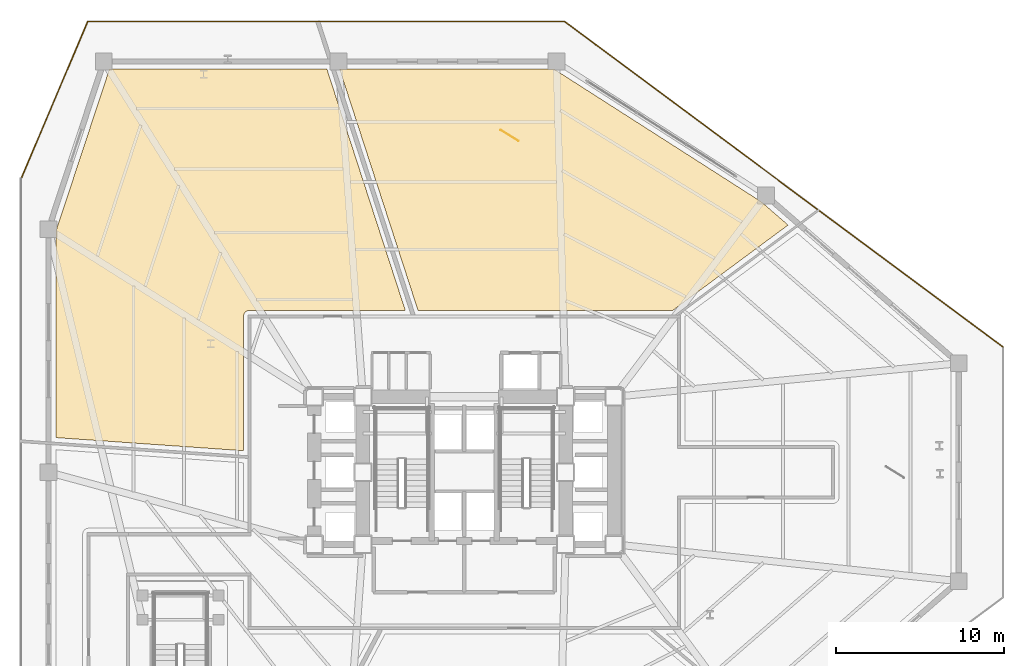
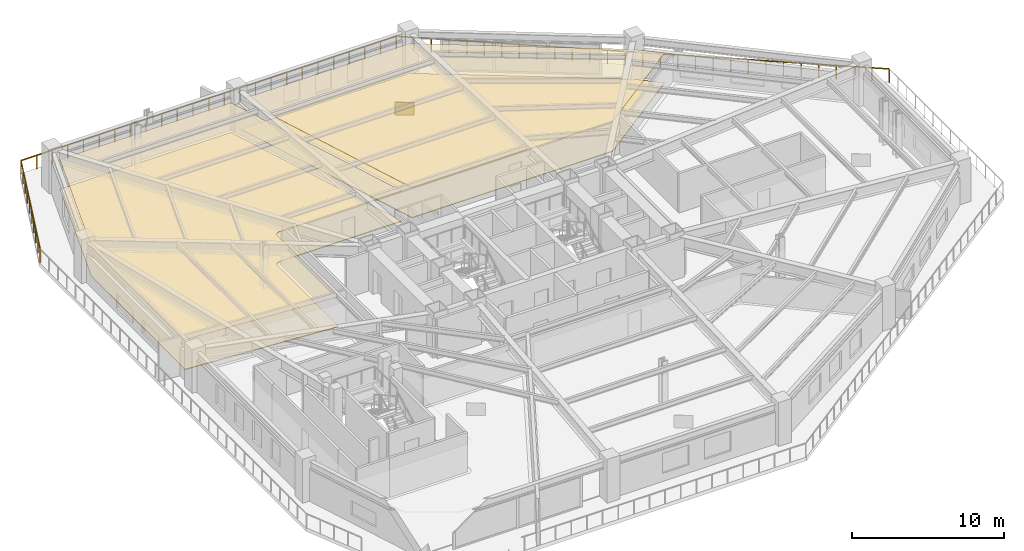
# One storey, part 12 of 12: 5 coverings, 1 railing.
"""IFC4 building model written with IfcOpenShell, lengths in metres."""

from ifc_helpers import new_model, si_unit, direction, frame, origin, origin_2d, place, context, subcontext, project, spatial, polyline, rectangle, outline, extrude, material, layer, layer_set, type_object, element, save


model = new_model("IFC4")

# Units and contexts
model_context = context("Model", 3, precision=1e-05, world=origin(), true_north=direction((0.0, 1.0)))
body_context = subcontext(model_context, "Body", "Model", "MODEL_VIEW")
ifc_project = project(units=[si_unit("LENGTHUNIT", "METRE"), si_unit("AREAUNIT", "SQUARE_METRE"), si_unit("VOLUMEUNIT", "CUBIC_METRE"), si_unit("PLANEANGLEUNIT", "RADIAN"), si_unit("MASSUNIT", "GRAM", prefix="KILO")], contexts=[model_context])

# Site, building, storey
site_placement = place(None, origin())
site = spatial("IfcSite", under=ifc_project, at=site_placement, CompositionType="ELEMENT")
building_placement = place(site_placement, origin())
building = spatial("IfcBuilding", under=site, at=building_placement, Name="Rocaltana Carrier Exchange", CompositionType="ELEMENT")
storey_placement = place(building_placement, frame((0.0, 0.0, 11.840087890625)))
storey = spatial("IfcBuildingStorey", under=building, at=storey_placement, Name="L04", CompositionType="ELEMENT", Elevation=11.840087890625)

# Coverings
ifc_material_1 = material(Name="Calcium Sulphate & Aluminium Pedestal", Category="aluminium")
ifc_layer_1 = layer(ifc_material_1, 0.06005859375)
ifc_layer_set_1 = layer_set([ifc_layer_1], Name="Calcium Sulphate & Aluminium Pedestal")
covering_type_1 = type_object("IfcCoveringType", Name="Anti-Static Raised Exchange Access Floor 60", PredefinedType="FLOORING", material=ifc_layer_set_1)
covering_1_placement = place(storey_placement, origin())
element("IfcCovering", 1, at=covering_1_placement, inside=storey, type_object=covering_type_1, Name="L04 Peering Conference Room Finish Floor", PredefinedType="FLOORING", context=body_context, shape_type="SweptSolid", body=[
    extrude(outline(polyline([(5.365478515625, 24.0400390625), (17.7236328125, 16.130615234375), (19.319091796875, 14.743408203125), (12.449462890625, 9.659912109375), (-2.76025390625, 9.659912109375), (-7.4326171875, 24.0400390625), (5.365478515625, 24.0400390625)])), origin(), (0.0, 0.0, 1.0), 0.059814453125),
])
covering_2_placement = place(storey_placement, origin())
element("IfcCovering", 2, at=covering_2_placement, inside=storey, type_object=covering_type_1, Name="L04 Protocol Calibration Laboratory Finish Floor", PredefinedType="FLOORING", context=body_context, shape_type="SweptSolid", body=[
    extrude(outline(polyline([(-24.340087890625, 14.426025390625), (-21.16748046875, 24.0400390625), (-8.189697265625, 24.0400390625), (-3.517333984375, 9.659912109375), (-12.800048828125, 9.659912109375), (-12.813720703125, 9.65966796875), (-12.821533203125, 9.6591796875), (-12.848876953125, 9.656494140625), (-12.856689453125, 9.655517578125), (-12.883544921875, 9.650146484375), (-12.891357421875, 9.648193359375), (-12.91748046875, 9.64013671875), (-12.9248046875, 9.637451171875), (-12.9501953125, 9.626953125), (-12.95751953125, 9.623779296875), (-12.981689453125, 9.610595703125), (-12.98828125, 9.606689453125), (-13.01123046875, 9.59130859375), (-13.017578125, 9.586669921875), (-13.038818359375, 9.5693359375), (-13.044677734375, 9.56396484375), (-13.06396484375, 9.544677734375), (-13.0693359375, 9.538818359375), (-13.086669921875, 9.517578125), (-13.09130859375, 9.51123046875), (-13.106689453125, 9.48828125), (-13.110595703125, 9.481689453125), (-13.123779296875, 9.45751953125), (-13.126953125, 9.4501953125), (-13.137451171875, 9.4248046875), (-13.14013671875, 9.41748046875), (-13.148193359375, 9.391357421875), (-13.150146484375, 9.383544921875), (-13.155517578125, 9.356689453125), (-13.156494140625, 9.348876953125), (-13.1591796875, 9.321533203125), (-13.15966796875, 9.313720703125), (-13.159912109375, 9.300048828125), (-13.159912109375, 1.281005859375), (-24.340087890625, 2.06298828125), (-24.340087890625, 14.426025390625)])), origin(), (0.0, 0.0, 1.0), 0.059814453125),
])
ifc_material_2 = material(Name="Mineral Fibre & Powder-Coated Aluminium", Category="aluminium")
ifc_layer_2 = layer(ifc_material_2, 0.044921875)
ifc_layer_set_2 = layer_set([ifc_layer_2], Name="Mineral Fibre & Powder-Coated Aluminium")
covering_type_2 = type_object("IfcCoveringType", Name="Micro-Perforated Acoustic Ceiling 45", PredefinedType="CEILING", material=ifc_layer_set_2)
covering_3_placement = place(storey_placement, frame((0.0, 0.0, 2.40283203125)))
element("IfcCovering", 3, at=covering_3_placement, inside=storey, type_object=covering_type_2, Name="L04 Peering Conference Room Acoustic Ceiling", PredefinedType="CEILING", context=body_context, shape_type="SweptSolid", body=[
    extrude(outline(polyline([(5.365478515625, 24.0400390625), (17.7236328125, 16.130615234375), (19.319091796875, 14.743408203125), (12.449462890625, 9.659912109375), (-2.76025390625, 9.659912109375), (-7.4326171875, 24.0400390625), (5.365478515625, 24.0400390625)])), origin(), (0.0, 0.0, 1.0), 0.045166015625),
])
covering_4_placement = place(storey_placement, frame((0.0, 0.0, 2.40283203125)))
element("IfcCovering", 4, at=covering_4_placement, inside=storey, type_object=covering_type_2, Name="L04 Protocol Calibration Laboratory Acoustic Ceiling", PredefinedType="CEILING", context=body_context, shape_type="SweptSolid", body=[
    extrude(outline(polyline([(-24.340087890625, 14.426025390625), (-21.16748046875, 24.0400390625), (-8.189697265625, 24.0400390625), (-3.517333984375, 9.659912109375), (-12.800048828125, 9.659912109375), (-12.813720703125, 9.65966796875), (-12.821533203125, 9.6591796875), (-12.848876953125, 9.656494140625), (-12.856689453125, 9.655517578125), (-12.883544921875, 9.650146484375), (-12.891357421875, 9.648193359375), (-12.91748046875, 9.64013671875), (-12.9248046875, 9.637451171875), (-12.9501953125, 9.626953125), (-12.95751953125, 9.623779296875), (-12.981689453125, 9.610595703125), (-12.98828125, 9.606689453125), (-13.01123046875, 9.59130859375), (-13.017578125, 9.586669921875), (-13.038818359375, 9.5693359375), (-13.044677734375, 9.56396484375), (-13.06396484375, 9.544677734375), (-13.0693359375, 9.538818359375), (-13.086669921875, 9.517578125), (-13.09130859375, 9.51123046875), (-13.106689453125, 9.48828125), (-13.110595703125, 9.481689453125), (-13.123779296875, 9.45751953125), (-13.126953125, 9.4501953125), (-13.137451171875, 9.4248046875), (-13.14013671875, 9.41748046875), (-13.148193359375, 9.391357421875), (-13.150146484375, 9.383544921875), (-13.155517578125, 9.356689453125), (-13.156494140625, 9.348876953125), (-13.1591796875, 9.321533203125), (-13.15966796875, 9.313720703125), (-13.159912109375, 9.300048828125), (-13.159912109375, 1.281005859375), (-24.340087890625, 2.06298828125), (-24.340087890625, 14.426025390625)])), origin(), (0.0, 0.0, 1.0), 0.045166015625),
])
ifc_material_3 = material(Name="Honed Piedra Muneca Sandstone", Category="masonry")
ifc_layer_3 = layer(ifc_material_3, 0.034912109375)
ifc_layer_set_3 = layer_set([ifc_layer_3], Name="Honed Piedra Muneca Sandstone")
covering_type_3 = type_object("IfcCoveringType", Name="Stone Facade Cladding 35", PredefinedType="CLADDING", material=ifc_layer_set_3)
covering_5_placement = place(storey_placement, frame((2.698486328125, 20.08544921875, 0.0), z_axis=(0.0, 0.0, 1.0), x_axis=(-0.848048096156, 0.529919264233, 0.0)))
element("IfcCovering", 5, at=covering_5_placement, inside=storey, type_object=covering_type_3, Name="L04 Stone Facade Cladding Panel 4", PredefinedType="CLADDING", context=body_context, shape_type="SweptSolid", body=[
    extrude(rectangle(XDim=1.25, YDim=0.034912109375, at=origin_2d()), origin(), (0.0, 0.0, 1.0), 1.050048828125),
])

# Railing
ifc_material_4 = material(Name="Powder-Coated Aluminium 6063-T6", Category="aluminium")
ifc_layer_4 = layer(ifc_material_4, 0.06005859375)
ifc_layer_set_4 = layer_set([ifc_layer_4], Name="Powder-Coated Aluminium 6063-T6")
railing_type = type_object("IfcRailingType", Name="Wind-Floor & Terrace Perimeter Guardrail 1100", PredefinedType="GUARDRAIL", material=ifc_layer_set_4)
railing_placement = place(storey_placement, frame((-26.43994140625, 17.48779296875, 0.0)))
element("IfcRailing", 6, at=railing_placement, inside=storey, type_object=railing_type, Name="L04 Perimeter Balcony Guardrail 2", PredefinedType="GUARDRAIL", context=body_context, shape_type="SweptSolid", body=[
    extrude(rectangle(XDim=0.048095703125, YDim=0.048095703125, at=origin_2d()), frame((0.0, 0.0, 1.076171875), z_axis=(0.389799902601, 0.920899579722, 0.0), x_axis=(-0.920899579722, 0.389799902601, 0.0)), (0.0, 0.0, 1.0), 10.209716796875),
    extrude(rectangle(XDim=0.048095703125, YDim=0.048095703125, at=origin_2d()), frame((3.979736328125, 9.402099609375, 1.076171875), z_axis=(1.0, 0.0, 0.0), x_axis=(0.0, 1.0, 0.0)), (0.0, 0.0, 1.0), 28.4404296875),
    extrude(rectangle(XDim=0.048095703125, YDim=0.048095703125, at=origin_2d()), frame((32.420166015625, 9.402099609375, 1.076171875), z_axis=(0.802930850868, -0.596072184156, 0.0), x_axis=(0.596072184156, 0.802930850868, 0.0)), (0.0, 0.0, 1.0), 32.580322265625),
    extrude(rectangle(XDim=0.0419921875, YDim=0.0419921875, at=origin_2d()), origin(), (0.0, 0.0, 1.0), 1.052001953125),
    extrude(rectangle(XDim=0.0419921875, YDim=0.0419921875, at=origin_2d()), frame((0.442138671875, 1.044677734375, 0.0)), (0.0, 0.0, 1.0), 1.052001953125),
    extrude(rectangle(XDim=0.0419921875, YDim=0.0419921875, at=origin_2d()), frame((0.88427734375, 2.08935546875, 0.0)), (0.0, 0.0, 1.0), 1.052001953125),
    extrude(rectangle(XDim=0.0419921875, YDim=0.0419921875, at=origin_2d()), frame((1.32666015625, 3.134033203125, 0.0)), (0.0, 0.0, 1.0), 1.052001953125),
    extrude(rectangle(XDim=0.0419921875, YDim=0.0419921875, at=origin_2d()), frame((1.768798828125, 4.1787109375, 0.0)), (0.0, 0.0, 1.0), 1.052001953125),
    extrude(rectangle(XDim=0.0419921875, YDim=0.0419921875, at=origin_2d()), frame((2.2109375, 5.223388671875, 0.0)), (0.0, 0.0, 1.0), 1.052001953125),
    extrude(rectangle(XDim=0.0419921875, YDim=0.0419921875, at=origin_2d()), frame((2.653076171875, 6.26806640625, 0.0)), (0.0, 0.0, 1.0), 1.052001953125),
    extrude(rectangle(XDim=0.0419921875, YDim=0.0419921875, at=origin_2d()), frame((3.095458984375, 7.312744140625, 0.0)), (0.0, 0.0, 1.0), 1.052001953125),
    extrude(rectangle(XDim=0.0419921875, YDim=0.0419921875, at=origin_2d()), frame((3.53759765625, 8.357421875, 0.0)), (0.0, 0.0, 1.0), 1.052001953125),
    extrude(rectangle(XDim=0.0419921875, YDim=0.0419921875, at=origin_2d()), frame((3.979736328125, 9.402099609375, 0.0)), (0.0, 0.0, 1.0), 1.052001953125),
    extrude(rectangle(XDim=0.0419921875, YDim=0.0419921875, at=origin_2d()), frame((5.164794921875, 9.402099609375, 0.0)), (0.0, 0.0, 1.0), 1.052001953125),
    extrude(rectangle(XDim=0.0419921875, YDim=0.0419921875, at=origin_2d()), frame((6.349853515625, 9.402099609375, 0.0)), (0.0, 0.0, 1.0), 1.052001953125),
    extrude(rectangle(XDim=0.0419921875, YDim=0.0419921875, at=origin_2d()), frame((7.53466796875, 9.402099609375, 0.0)), (0.0, 0.0, 1.0), 1.052001953125),
    extrude(rectangle(XDim=0.0419921875, YDim=0.0419921875, at=origin_2d()), frame((8.7197265625, 9.402099609375, 0.0)), (0.0, 0.0, 1.0), 1.052001953125),
    extrude(rectangle(XDim=0.0419921875, YDim=0.0419921875, at=origin_2d()), frame((9.90478515625, 9.402099609375, 0.0)), (0.0, 0.0, 1.0), 1.052001953125),
    extrude(rectangle(XDim=0.0419921875, YDim=0.0419921875, at=origin_2d()), frame((11.08984375, 9.402099609375, 0.0)), (0.0, 0.0, 1.0), 1.052001953125),
    extrude(rectangle(XDim=0.0419921875, YDim=0.0419921875, at=origin_2d()), frame((12.27490234375, 9.402099609375, 0.0)), (0.0, 0.0, 1.0), 1.052001953125),
    extrude(rectangle(XDim=0.0419921875, YDim=0.0419921875, at=origin_2d()), frame((13.4599609375, 9.402099609375, 0.0)), (0.0, 0.0, 1.0), 1.052001953125),
    extrude(rectangle(XDim=0.0419921875, YDim=0.0419921875, at=origin_2d()), frame((14.64501953125, 9.402099609375, 0.0)), (0.0, 0.0, 1.0), 1.052001953125),
    extrude(rectangle(XDim=0.0419921875, YDim=0.0419921875, at=origin_2d()), frame((15.829833984375, 9.402099609375, 0.0)), (0.0, 0.0, 1.0), 1.052001953125),
    extrude(rectangle(XDim=0.0419921875, YDim=0.0419921875, at=origin_2d()), frame((17.014892578125, 9.402099609375, 0.0)), (0.0, 0.0, 1.0), 1.052001953125),
    extrude(rectangle(XDim=0.0419921875, YDim=0.0419921875, at=origin_2d()), frame((18.199951171875, 9.402099609375, 0.0)), (0.0, 0.0, 1.0), 1.052001953125),
    extrude(rectangle(XDim=0.0419921875, YDim=0.0419921875, at=origin_2d()), frame((19.385009765625, 9.402099609375, 0.0)), (0.0, 0.0, 1.0), 1.052001953125),
    extrude(rectangle(XDim=0.0419921875, YDim=0.0419921875, at=origin_2d()), frame((20.570068359375, 9.402099609375, 0.0)), (0.0, 0.0, 1.0), 1.052001953125),
    extrude(rectangle(XDim=0.0419921875, YDim=0.0419921875, at=origin_2d()), frame((21.7548828125, 9.402099609375, 0.0)), (0.0, 0.0, 1.0), 1.052001953125),
    extrude(rectangle(XDim=0.0419921875, YDim=0.0419921875, at=origin_2d()), frame((22.93994140625, 9.402099609375, 0.0)), (0.0, 0.0, 1.0), 1.052001953125),
    extrude(rectangle(XDim=0.0419921875, YDim=0.0419921875, at=origin_2d()), frame((24.125, 9.402099609375, 0.0)), (0.0, 0.0, 1.0), 1.052001953125),
    extrude(rectangle(XDim=0.0419921875, YDim=0.0419921875, at=origin_2d()), frame((25.31005859375, 9.402099609375, 0.0)), (0.0, 0.0, 1.0), 1.052001953125),
    extrude(rectangle(XDim=0.0419921875, YDim=0.0419921875, at=origin_2d()), frame((26.4951171875, 9.402099609375, 0.0)), (0.0, 0.0, 1.0), 1.052001953125),
    extrude(rectangle(XDim=0.0419921875, YDim=0.0419921875, at=origin_2d()), frame((27.68017578125, 9.402099609375, 0.0)), (0.0, 0.0, 1.0), 1.052001953125),
    extrude(rectangle(XDim=0.0419921875, YDim=0.0419921875, at=origin_2d()), frame((28.865234375, 9.402099609375, 0.0)), (0.0, 0.0, 1.0), 1.052001953125),
    extrude(rectangle(XDim=0.0419921875, YDim=0.0419921875, at=origin_2d()), frame((30.050048828125, 9.402099609375, 0.0)), (0.0, 0.0, 1.0), 1.052001953125),
    extrude(rectangle(XDim=0.0419921875, YDim=0.0419921875, at=origin_2d()), frame((31.235107421875, 9.402099609375, 0.0)), (0.0, 0.0, 1.0), 1.052001953125),
    extrude(rectangle(XDim=0.0419921875, YDim=0.0419921875, at=origin_2d()), frame((32.420166015625, 9.402099609375, 0.0)), (0.0, 0.0, 1.0), 1.052001953125),
    extrude(rectangle(XDim=0.0419921875, YDim=0.0419921875, at=origin_2d()), frame((33.3544921875, 8.70849609375, 0.0)), (0.0, 0.0, 1.0), 1.052001953125),
    extrude(rectangle(XDim=0.0419921875, YDim=0.0419921875, at=origin_2d()), frame((34.288818359375, 8.014892578125, 0.0)), (0.0, 0.0, 1.0), 1.052001953125),
    extrude(rectangle(XDim=0.0419921875, YDim=0.0419921875, at=origin_2d()), frame((35.222900390625, 7.3212890625, 0.0)), (0.0, 0.0, 1.0), 1.052001953125),
    extrude(rectangle(XDim=0.0419921875, YDim=0.0419921875, at=origin_2d()), frame((36.1572265625, 6.627685546875, 0.0)), (0.0, 0.0, 1.0), 1.052001953125),
    extrude(rectangle(XDim=0.0419921875, YDim=0.0419921875, at=origin_2d()), frame((37.091552734375, 5.934326171875, 0.0)), (0.0, 0.0, 1.0), 1.052001953125),
    extrude(rectangle(XDim=0.0419921875, YDim=0.0419921875, at=origin_2d()), frame((38.02587890625, 5.24072265625, 0.0)), (0.0, 0.0, 1.0), 1.052001953125),
    extrude(rectangle(XDim=0.0419921875, YDim=0.0419921875, at=origin_2d()), frame((38.9599609375, 4.547119140625, 0.0)), (0.0, 0.0, 1.0), 1.052001953125),
    extrude(rectangle(XDim=0.0419921875, YDim=0.0419921875, at=origin_2d()), frame((39.894287109375, 3.853515625, 0.0)), (0.0, 0.0, 1.0), 1.052001953125),
    extrude(rectangle(XDim=0.0419921875, YDim=0.0419921875, at=origin_2d()), frame((40.82861328125, 3.159912109375, 0.0)), (0.0, 0.0, 1.0), 1.052001953125),
    extrude(rectangle(XDim=0.0419921875, YDim=0.0419921875, at=origin_2d()), frame((41.762939453125, 2.46630859375, 0.0)), (0.0, 0.0, 1.0), 1.052001953125),
    extrude(rectangle(XDim=0.0419921875, YDim=0.0419921875, at=origin_2d()), frame((42.697265625, 1.772705078125, 0.0)), (0.0, 0.0, 1.0), 1.052001953125),
    extrude(rectangle(XDim=0.0419921875, YDim=0.0419921875, at=origin_2d()), frame((43.63134765625, 1.0791015625, 0.0)), (0.0, 0.0, 1.0), 1.052001953125),
    extrude(rectangle(XDim=0.0419921875, YDim=0.0419921875, at=origin_2d()), frame((44.565673828125, 0.385498046875, 0.0)), (0.0, 0.0, 1.0), 1.052001953125),
    extrude(rectangle(XDim=0.0419921875, YDim=0.0419921875, at=origin_2d()), frame((45.5, -0.30810546875, 0.0)), (0.0, 0.0, 1.0), 1.052001953125),
    extrude(rectangle(XDim=0.0419921875, YDim=0.0419921875, at=origin_2d()), frame((46.434326171875, -1.00146484375, 0.0)), (0.0, 0.0, 1.0), 1.052001953125),
    extrude(rectangle(XDim=0.0419921875, YDim=0.0419921875, at=origin_2d()), frame((47.36865234375, -1.695068359375, 0.0)), (0.0, 0.0, 1.0), 1.052001953125),
    extrude(rectangle(XDim=0.0419921875, YDim=0.0419921875, at=origin_2d()), frame((48.302734375, -2.388671875, 0.0)), (0.0, 0.0, 1.0), 1.052001953125),
    extrude(rectangle(XDim=0.0419921875, YDim=0.0419921875, at=origin_2d()), frame((49.237060546875, -3.082275390625, 0.0)), (0.0, 0.0, 1.0), 1.052001953125),
    extrude(rectangle(XDim=0.0419921875, YDim=0.0419921875, at=origin_2d()), frame((50.17138671875, -3.77587890625, 0.0)), (0.0, 0.0, 1.0), 1.052001953125),
    extrude(rectangle(XDim=0.0419921875, YDim=0.0419921875, at=origin_2d()), frame((51.105712890625, -4.469482421875, 0.0)), (0.0, 0.0, 1.0), 1.052001953125),
    extrude(rectangle(XDim=0.0419921875, YDim=0.0419921875, at=origin_2d()), frame((52.0400390625, -5.1630859375, 0.0)), (0.0, 0.0, 1.0), 1.052001953125),
    extrude(rectangle(XDim=0.0419921875, YDim=0.0419921875, at=origin_2d()), frame((52.97412109375, -5.856689453125, 0.0)), (0.0, 0.0, 1.0), 1.052001953125),
    extrude(rectangle(XDim=0.0419921875, YDim=0.0419921875, at=origin_2d()), frame((53.908447265625, -6.55029296875, 0.0)), (0.0, 0.0, 1.0), 1.052001953125),
    extrude(rectangle(XDim=0.0419921875, YDim=0.0419921875, at=origin_2d()), frame((54.8427734375, -7.24365234375, 0.0)), (0.0, 0.0, 1.0), 1.052001953125),
    extrude(rectangle(XDim=0.0419921875, YDim=0.0419921875, at=origin_2d()), frame((55.777099609375, -7.937255859375, 0.0)), (0.0, 0.0, 1.0), 1.052001953125),
    extrude(rectangle(XDim=0.0419921875, YDim=0.0419921875, at=origin_2d()), frame((56.711181640625, -8.630859375, 0.0)), (0.0, 0.0, 1.0), 1.052001953125),
    extrude(rectangle(XDim=0.0419921875, YDim=0.0419921875, at=origin_2d()), frame((57.6455078125, -9.324462890625, 0.0)), (0.0, 0.0, 1.0), 1.052001953125),
    extrude(rectangle(XDim=0.0419921875, YDim=0.0419921875, at=origin_2d()), frame((58.579833984375, -10.01806640625, 0.0)), (0.0, 0.0, 1.0), 1.052001953125),
])

save(model, "model.ifc")
